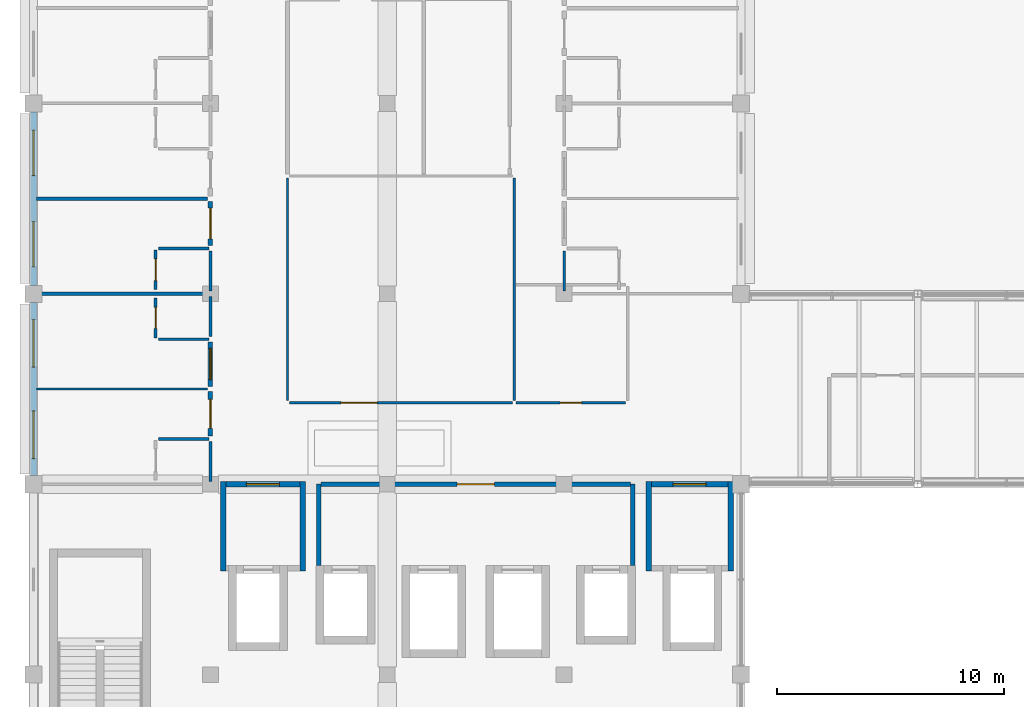
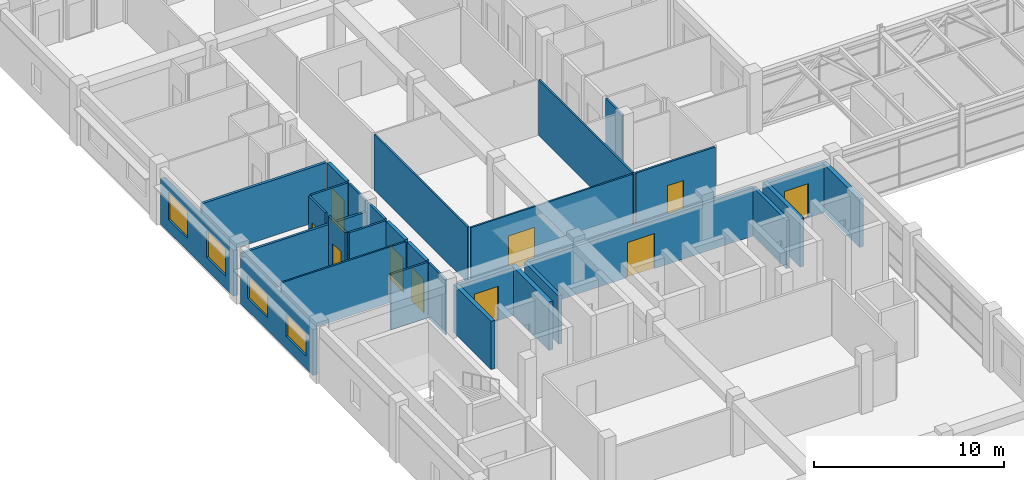
# One storey, part 49 of 72: 30 walls, 10 doors, 4 windows, 14 openings.
"""IFC4 building model written with IfcOpenShell, lengths in metres."""

from ifc_helpers import new_model, si_unit, direction, frame, frame_2d, origin, place, context, subcontext, project, spatial, rectangle, extrude, material, layer, layer_set, type_object, element, fill, save


model = new_model("IFC4")

# Units and contexts
model_context = context("Model", 3, precision=1e-05, world=origin(), true_north=direction((0.0, 1.0)))
body_context = subcontext(model_context, "Body", "Model", "MODEL_VIEW")
ifc_project = project(units=[si_unit("LENGTHUNIT", "METRE"), si_unit("AREAUNIT", "SQUARE_METRE"), si_unit("VOLUMEUNIT", "CUBIC_METRE"), si_unit("PLANEANGLEUNIT", "RADIAN"), si_unit("MASSUNIT", "GRAM", prefix="KILO"), si_unit("THERMODYNAMICTEMPERATUREUNIT", "KELVIN"), si_unit("POWERUNIT", "WATT")], contexts=[model_context])

# Site, building, storey
site_placement = place(None, origin())
site = spatial("IfcSite", under=ifc_project, at=site_placement, CompositionType="ELEMENT")
building_placement = place(site_placement, origin())
building = spatial("IfcBuilding", under=site, at=building_placement, Name="Srebrne Nadtorze General Hospital", CompositionType="ELEMENT")
storey_placement = place(building_placement, frame((0.0, 0.0, 22.199951171875)))
storey = spatial("IfcBuildingStorey", under=building, at=storey_placement, Name="L05", CompositionType="ELEMENT", Elevation=22.199951171875)

# Walls
ifc_material_1 = material(Name="Gypsum Healthcare Partition")
ifc_layer_1 = layer(ifc_material_1, 0.139892578125)
ifc_layer_set_1 = layer_set([ifc_layer_1], Name="Gypsum Healthcare Partition")
wall_type_1 = type_object("IfcWallType", Name="Clinical partition 140", PredefinedType="PARTITIONING", material=ifc_layer_set_1)
wall_1_placement = place(storey_placement, frame((23.52001953125, 58.800048828125, 0.0), z_axis=(0.0, 0.0, 1.0), x_axis=(1.0, 0.0, 0.0)))
element("IfcWall", 1, at=wall_1_placement, inside=storey, type_object=wall_type_1, Name="Ward inter-room partition WL-INT-L05-1958", PredefinedType="PARTITIONING", context=body_context, shape_type="SweptSolid", body=[
    extrude(rectangle(XDim=7.56005859375, YDim=0.139892578125, at=frame_2d((3.780029296875, 0.0))), origin(), (0.0, 0.0, 1.0), 2.949951171875),
])
ifc_material_2 = material(Name="Gypsum Healthcare Partition")
ifc_layer_2 = layer(ifc_material_2, 0.159912109375)
ifc_layer_set_2 = layer_set([ifc_layer_2], Name="Gypsum Healthcare Partition")
wall_type_2 = type_object("IfcWallType", Name="Clinical partition 160", PredefinedType="PARTITIONING", material=ifc_layer_set_2)
wall_2_placement = place(storey_placement, frame((23.52001953125, 63.0, 0.0), z_axis=(0.0, 0.0, 1.0), x_axis=(1.0, 0.0, 0.0)))
element("IfcWall", 2, at=wall_2_placement, inside=storey, type_object=wall_type_2, Name="Ward inter-room partition WL-INT-L05-1963", PredefinedType="PARTITIONING", context=body_context, shape_type="SweptSolid", body=[
    extrude(rectangle(XDim=7.56005859375, YDim=0.159912109375, at=frame_2d((3.780029296875, 0.0))), origin(), (0.0, 0.0, 1.0), 3.580078125),
])
ifc_material_3 = material(Name="Gypsum Healthcare Partition")
ifc_layer_3 = layer(ifc_material_3, 0.199951171875)
ifc_layer_set_3 = layer_set([ifc_layer_3], Name="Gypsum Healthcare Partition")
wall_type_3 = type_object("IfcWallType", Name="Compartment wall 200", PredefinedType="STANDARD", material=ifc_layer_set_3)
for number, where, z_axis, x_axis, name in (
    (3, (35.97998046875, 46.81005859375, 0.0), (0.0, 0.0, 1.0), (0.0, 1.0, 0.0), "Lift lobby side wall WL-INT-L05-1098"),
    (4, (49.820068359375, 46.81005859375, 0.0), (0.0, 0.0, 1.0), (0.0, 1.0, 0.0), "Lift lobby side wall WL-INT-L05-1099"),
):
    element("IfcWall", number, at=place(storey_placement, frame(where, z_axis=z_axis, x_axis=x_axis)), inside=storey, type_object=wall_type_3, Name=name, PredefinedType="STANDARD", context=body_context, shape_type="SweptSolid", body=[
        extrude(rectangle(XDim=3.58984375, YDim=0.199951171875, at=frame_2d((1.794921875, 0.0))), origin(), (0.0, 0.0, 1.0), 3.10009765625),
    ])

# Wall, opening, door
wall_3_placement = place(storey_placement, frame((36.080078125, 50.39990234375, 0.0), z_axis=(0.0, 0.0, 1.0), x_axis=(1.0, 0.0, 0.0)))
wall_3 = element("IfcWall", 5, at=wall_3_placement, inside=storey, type_object=wall_type_3, Name="Lift lobby corridor wall WL-INT-L05-1100", PredefinedType="STANDARD", context=body_context, shape_type="SweptSolid", body=[
    extrude(rectangle(XDim=13.639892578125, YDim=0.199951171875, at=frame_2d((6.81982421875, 0.0))), origin(), (0.0, 0.0, 1.0), 3.10009765625),
])
opening_1_placement = place(wall_3_placement, frame((5.9951171875, 0.0, 0.0)))
opening_1 = element("IfcOpeningElement", 6, at=opening_1_placement, cuts=wall_3, Name="Opening D-L05-0149", PredefinedType="OPENING", context=body_context, shape_type="SweptSolid", body=[
    extrude(rectangle(XDim=1.64990234375, YDim=2.25, at=frame_2d((0.824951171875, 1.125))), frame((0.0, 0.11181640625, 0.0), z_axis=(0.0, -1.0, 0.0), x_axis=(1.0, 0.0, 0.0)), (0.0, 0.0, 1.0), 0.223876953125),
])
ifc_material_4 = material(Name="Anodised Aluminium", Category="aluminium")
door_type_1 = type_object("IfcDoorType", Name="Double leaf door 1650x2250", OperationType="DOUBLE_DOOR_SINGLE_SWING", PredefinedType="DOOR", material=ifc_material_4)
door_1_placement = place(opening_1_placement, origin())
door_1 = element("IfcDoor", 7, at=door_1_placement, inside=storey, type_object=door_type_1, Name="Lift lobby corridor door D-L05-0149", OperationType="DOUBLE_DOOR_SINGLE_SWING", OverallHeight=2.25, OverallWidth=1.64990234375, PredefinedType="DOOR", context=body_context, shape_type="SweptSolid", body=[
    extrude(rectangle(XDim=1.64990234375, YDim=2.25, at=frame_2d((0.824951171875, 1.125))), frame((0.0, 0.02490234375, 0.0), z_axis=(0.0, -1.0, 0.0), x_axis=(1.0, 0.0, 0.0)), (0.0, 0.0, 1.0), 0.050048828125),
])
fill(opening_1, door_1)

wall_4_placement = place(storey_placement, frame((31.199951171875, 52.52001953125, 0.0), z_axis=(0.0, 0.0, 1.0), x_axis=(0.0, 1.0, 0.0)))
wall_4 = element("IfcWall", 8, at=wall_4_placement, inside=storey, type_object=wall_type_3, Name="Ward corridor wall WL-INT-L05-1954", PredefinedType="STANDARD", context=body_context, shape_type="SweptSolid", body=[
    extrude(rectangle(XDim=1.9599609375, YDim=0.199951171875, at=frame_2d((0.97998046875, 0.0))), origin(), (0.0, 0.0, 1.0), 3.580078125),
])
opening_2_placement = place(wall_4_placement, frame((0.340087890625, 0.0, 0.0)))
opening_2 = element("IfcOpeningElement", 9, at=opening_2_placement, cuts=wall_4, Name="Opening D-L05-0386", PredefinedType="OPENING", context=body_context, shape_type="SweptSolid", body=[
    extrude(rectangle(XDim=1.280029296875, YDim=2.14990234375, at=frame_2d((0.64013671875, 1.074951171875))), frame((0.0, 0.11181640625, 0.0), z_axis=(0.0, -1.0, 0.0), x_axis=(1.0, 0.0, 0.0)), (0.0, 0.0, 1.0), 0.223876953125),
])
ifc_material_5 = material(Name="Anodised Aluminium", Category="aluminium")
door_type_2 = type_object("IfcDoorType", Name="Single leaf door 1280x2150", OperationType="NOTDEFINED", PredefinedType="DOOR", material=ifc_material_5)
door_2_placement = place(opening_2_placement, origin())
door_2 = element("IfcDoor", 10, at=door_2_placement, inside=storey, type_object=door_type_2, Name="Ward patient room door D-L05-0386", OperationType="SINGLE_SWING_LEFT", OverallHeight=2.14990234375, OverallWidth=1.280029296875, PredefinedType="DOOR", context=body_context, shape_type="SweptSolid", body=[
    extrude(rectangle(XDim=1.280029296875, YDim=2.14990234375, at=frame_2d((0.64013671875, 1.074951171875))), frame((0.0, 0.02490234375, 0.0), z_axis=(0.0, -1.0, 0.0), x_axis=(1.0, 0.0, 0.0)), (0.0, 0.0, 1.0), 0.050048828125),
])
fill(opening_2, door_2)

wall_5_placement = place(storey_placement, frame((31.199951171875, 54.719970703125, 0.0), z_axis=(0.0, 0.0, 1.0), x_axis=(0.0, 1.0, 0.0)))
wall_5 = element("IfcWall", 11, at=wall_5_placement, inside=storey, type_object=wall_type_3, Name="Ward corridor wall WL-INT-L05-1959", PredefinedType="STANDARD", context=body_context, shape_type="SweptSolid", body=[
    extrude(rectangle(XDim=1.9599609375, YDim=0.199951171875, at=frame_2d((0.97998046875, 0.0))), origin(), (0.0, 0.0, 1.0), 3.580078125),
])
opening_3_placement = place(wall_5_placement, frame((0.2900390625, 0.0, 0.0)))
opening_3 = element("IfcOpeningElement", 12, at=opening_3_placement, cuts=wall_5, Name="Opening D-L05-0388", PredefinedType="OPENING", context=body_context, shape_type="SweptSolid", body=[
    extrude(rectangle(XDim=1.3798828125, YDim=2.199951171875, at=frame_2d((0.68994140625, 1.10009765625))), frame((0.0, 0.11181640625, 0.0), z_axis=(0.0, -1.0, 0.0), x_axis=(1.0, 0.0, 0.0)), (0.0, 0.0, 1.0), 0.223876953125),
])
ifc_material_6 = material(Name="Anodised Aluminium", Category="aluminium")
door_type_3 = type_object("IfcDoorType", Name="Single leaf door 1380x2200", OperationType="NOTDEFINED", PredefinedType="DOOR", material=ifc_material_6)
door_3_placement = place(opening_3_placement, origin())
door_3 = element("IfcDoor", 13, at=door_3_placement, inside=storey, type_object=door_type_3, Name="Ward patient room door D-L05-0388", OperationType="SINGLE_SWING_LEFT", OverallHeight=2.199951171875, OverallWidth=1.3798828125, PredefinedType="DOOR", context=body_context, shape_type="SweptSolid", body=[
    extrude(rectangle(XDim=1.3798828125, YDim=2.199951171875, at=frame_2d((0.68994140625, 1.10009765625))), frame((0.0, 0.02490234375, 0.0), z_axis=(0.0, -1.0, 0.0), x_axis=(1.0, 0.0, 0.0)), (0.0, 0.0, 1.0), 0.050048828125),
])
fill(opening_3, door_3)

wall_6_placement = place(storey_placement, frame((31.199951171875, 60.919921875, 0.0), z_axis=(0.0, 0.0, 1.0), x_axis=(0.0, 1.0, 0.0)))
wall_6 = element("IfcWall", 14, at=wall_6_placement, inside=storey, type_object=wall_type_3, Name="Ward corridor wall WL-INT-L05-1964", PredefinedType="STANDARD", context=body_context, shape_type="SweptSolid", body=[
    extrude(rectangle(XDim=1.9599609375, YDim=0.199951171875, at=frame_2d((0.97998046875, 0.0))), origin(), (0.0, 0.0, 1.0), 3.580078125),
])
opening_4_placement = place(wall_6_placement, frame((0.304931640625, 0.0, 0.0)))
opening_4 = element("IfcOpeningElement", 15, at=opening_4_placement, cuts=wall_6, Name="Opening D-L05-0390", PredefinedType="OPENING", context=body_context, shape_type="SweptSolid", body=[
    extrude(rectangle(XDim=1.35009765625, YDim=2.14990234375, at=frame_2d((0.675048828125, 1.074951171875))), frame((0.0, 0.11181640625, 0.0), z_axis=(0.0, -1.0, 0.0), x_axis=(1.0, 0.0, 0.0)), (0.0, 0.0, 1.0), 0.223876953125),
])
ifc_material_7 = material(Name="Anodised Aluminium", Category="aluminium")
door_type_4 = type_object("IfcDoorType", Name="Single leaf door 1350x2150", OperationType="NOTDEFINED", PredefinedType="DOOR", material=ifc_material_7)
door_4_placement = place(opening_4_placement, origin())
door_4 = element("IfcDoor", 16, at=door_4_placement, inside=storey, type_object=door_type_4, Name="Ward patient room door D-L05-0390", OperationType="SINGLE_SWING_LEFT", OverallHeight=2.14990234375, OverallWidth=1.35009765625, PredefinedType="DOOR", context=body_context, shape_type="SweptSolid", body=[
    extrude(rectangle(XDim=1.35009765625, YDim=2.14990234375, at=frame_2d((0.675048828125, 1.074951171875))), frame((0.0, 0.02490234375, 0.0), z_axis=(0.0, -1.0, 0.0), x_axis=(1.0, 0.0, 0.0)), (0.0, 0.0, 1.0), 0.050048828125),
])
fill(opening_4, door_4)

# Walls
ifc_material_8 = material(Name="Gypsum Healthcare Partition")
ifc_layer_4 = layer(ifc_material_8, 0.239990234375)
ifc_layer_set_4 = layer_set([ifc_layer_4], Name="Gypsum Healthcare Partition")
wall_type_4 = type_object("IfcWallType", Name="Corridor fire wall 240", PredefinedType="STANDARD", material=ifc_layer_set_4)
for number, where, z_axis, x_axis, name in (
    (17, (31.760009765625, 46.570068359375, 0.0), (0.0, 0.0, 1.0), (0.0, 1.0, 0.0), "FF lift lobby wall WL-INT-L05-1088"),
    (18, (35.27001953125, 46.570068359375, 0.0), (0.0, 0.0, 1.0), (0.0, 1.0, 0.0), "FF lift lobby wall WL-INT-L05-1089"),
):
    element("IfcWall", number, at=place(storey_placement, frame(where, z_axis=z_axis, x_axis=x_axis)), inside=storey, type_object=wall_type_4, Name=name, PredefinedType="STANDARD", context=body_context, shape_type="SweptSolid", body=[
        extrude(rectangle(XDim=3.949951171875, YDim=0.239990234375, at=frame_2d((1.97509765625, 0.0))), origin(), (0.0, 0.0, 1.0), 3.10009765625),
    ])

# Wall, opening, door
wall_7_placement = place(storey_placement, frame((31.8798828125, 50.39990234375, 0.0), z_axis=(0.0, 0.0, 1.0), x_axis=(1.0, 0.0, 0.0)))
wall_7 = element("IfcWall", 19, at=wall_7_placement, inside=storey, type_object=wall_type_4, Name="FF lift lobby front wall WL-INT-L05-1092", PredefinedType="STANDARD", context=body_context, shape_type="SweptSolid", body=[
    extrude(rectangle(XDim=3.27001953125, YDim=0.239990234375, at=frame_2d((1.635009765625, 0.0))), origin(), (0.0, 0.0, 1.0), 3.10009765625),
])
opening_5_placement = place(wall_7_placement, frame((0.909912109375, 0.0, 0.0)))
opening_5 = element("IfcOpeningElement", 20, at=opening_5_placement, cuts=wall_7, Name="Opening D-L05-0147", PredefinedType="OPENING", context=body_context, shape_type="SweptSolid", body=[
    extrude(rectangle(XDim=1.449951171875, YDim=2.199951171875, at=frame_2d((0.72509765625, 1.10009765625))), frame((0.0, 0.1318359375, 0.0), z_axis=(0.0, -1.0, 0.0), x_axis=(1.0, 0.0, 0.0)), (0.0, 0.0, 1.0), 0.263916015625),
])
ifc_material_9 = material(Name="Anodised Aluminium", Category="aluminium")
door_type_5 = type_object("IfcDoorType", Name="Double leaf door 1450x2200", OperationType="DOUBLE_DOOR_SINGLE_SWING", PredefinedType="DOOR", material=ifc_material_9)
door_5_placement = place(opening_5_placement, origin())
door_5 = element("IfcDoor", 21, at=door_5_placement, inside=storey, type_object=door_type_5, Name="Firefighting lift lobby door D-L05-0147", OperationType="DOUBLE_DOOR_SINGLE_SWING", OverallHeight=2.199951171875, OverallWidth=1.449951171875, PredefinedType="DOOR", context=body_context, shape_type="SweptSolid", body=[
    extrude(rectangle(XDim=1.449951171875, YDim=2.199951171875, at=frame_2d((0.72509765625, 1.10009765625))), frame((0.0, 0.02490234375, 0.0), z_axis=(0.0, -1.0, 0.0), x_axis=(1.0, 0.0, 0.0)), (0.0, 0.0, 1.0), 0.050048828125),
])
fill(opening_5, door_5)

# Walls
for number, where, z_axis, x_axis, name in (
    (22, (50.530029296875, 46.570068359375, 0.0), (0.0, 0.0, 1.0), (0.0, 1.0, 0.0), "FF lift lobby wall WL-INT-L05-1093"),
    (23, (54.139892578125, 46.570068359375, 0.0), (0.0, 0.0, 1.0), (0.0, 1.0, 0.0), "FF lift lobby wall WL-INT-L05-1094"),
):
    element("IfcWall", number, at=place(storey_placement, frame(where, z_axis=z_axis, x_axis=x_axis)), inside=storey, type_object=wall_type_4, Name=name, PredefinedType="STANDARD", context=body_context, shape_type="SweptSolid", body=[
        extrude(rectangle(XDim=3.949951171875, YDim=0.239990234375, at=frame_2d((1.97509765625, 0.0))), origin(), (0.0, 0.0, 1.0), 3.10009765625),
    ])

# Wall, opening, door
wall_8_placement = place(storey_placement, frame((50.64990234375, 50.39990234375, 0.0), z_axis=(0.0, 0.0, 1.0), x_axis=(1.0, 0.0, 0.0)))
wall_8 = element("IfcWall", 24, at=wall_8_placement, inside=storey, type_object=wall_type_4, Name="FF lift lobby front wall WL-INT-L05-1097", PredefinedType="STANDARD", context=body_context, shape_type="SweptSolid", body=[
    extrude(rectangle(XDim=3.3701171875, YDim=0.239990234375, at=frame_2d((1.68505859375, 0.0))), origin(), (0.0, 0.0, 1.0), 3.10009765625),
])
opening_6_placement = place(wall_8_placement, frame((0.9599609375, 0.0, 0.0)))
opening_6 = element("IfcOpeningElement", 25, at=opening_6_placement, cuts=wall_8, Name="Opening D-L05-0148", PredefinedType="OPENING", context=body_context, shape_type="SweptSolid", body=[
    extrude(rectangle(XDim=1.449951171875, YDim=2.199951171875, at=frame_2d((0.72509765625, 1.10009765625))), frame((0.0, 0.1318359375, 0.0), z_axis=(0.0, -1.0, 0.0), x_axis=(1.0, 0.0, 0.0)), (0.0, 0.0, 1.0), 0.263916015625),
])
door_6_placement = place(opening_6_placement, origin())
door_6 = element("IfcDoor", 26, at=door_6_placement, inside=storey, type_object=door_type_5, Name="Firefighting lift lobby door D-L05-0148", OperationType="DOUBLE_DOOR_SINGLE_SWING", OverallHeight=2.199951171875, OverallWidth=1.449951171875, PredefinedType="DOOR", context=body_context, shape_type="SweptSolid", body=[
    extrude(rectangle(XDim=1.449951171875, YDim=2.199951171875, at=frame_2d((0.72509765625, 1.10009765625))), frame((0.0, 0.02490234375, 0.0), z_axis=(0.0, -1.0, 0.0), x_axis=(1.0, 0.0, 0.0)), (0.0, 0.0, 1.0), 0.050048828125),
])
fill(opening_6, door_6)

# Walls
ifc_material_10 = material(Name="Gypsum Healthcare Partition")
ifc_layer_5 = layer(ifc_material_10, 0.1201171875)
ifc_layer_set_5 = layer_set([ifc_layer_5], Name="Gypsum Healthcare Partition")
wall_type_5 = type_object("IfcWallType", Name="En-suite partition 120", PredefinedType="PARTITIONING", material=ifc_layer_set_5)
wall_9_placement = place(storey_placement, frame((31.199951171875, 50.52001953125, 0.0), z_axis=(0.0, 0.0, 1.0), x_axis=(0.0, 1.0, 0.0)))
element("IfcWall", 27, at=wall_9_placement, inside=storey, type_object=wall_type_5, Name="En-suite corridor wall WL-INT-L05-1955", PredefinedType="PARTITIONING", context=body_context, shape_type="SweptSolid", body=[
    extrude(rectangle(XDim=1.760009765625, YDim=0.1201171875, at=frame_2d((0.8798828125, 0.0))), origin(), (0.0, 0.0, 1.0), 3.580078125),
])
wall_10_placement = place(storey_placement, frame((28.89990234375, 52.39990234375, 0.0), z_axis=(0.0, 0.0, 1.0), x_axis=(1.0, 0.0, 0.0)))
element("IfcWall", 28, at=wall_10_placement, inside=storey, type_object=wall_type_5, Name="En-suite wet wall WL-INT-L05-1956", PredefinedType="PARTITIONING", context=body_context, shape_type="SweptSolid", body=[
    extrude(rectangle(XDim=2.239990234375, YDim=0.1201171875, at=frame_2d((1.1201171875, 0.0))), origin(), (0.0, 0.0, 1.0), 3.580078125),
])
wall_11_placement = place(storey_placement, frame((31.199951171875, 56.919921875, 0.0), z_axis=(0.0, 0.0, 1.0), x_axis=(0.0, 1.0, 0.0)))
element("IfcWall", 29, at=wall_11_placement, inside=storey, type_object=wall_type_5, Name="En-suite corridor wall WL-INT-L05-1960", PredefinedType="PARTITIONING", context=body_context, shape_type="SweptSolid", body=[
    extrude(rectangle(XDim=1.760009765625, YDim=0.1201171875, at=frame_2d((0.8798828125, 0.0))), origin(), (0.0, 0.0, 1.0), 3.580078125),
])
wall_12_placement = place(storey_placement, frame((28.89990234375, 56.800048828125, 0.0), z_axis=(0.0, 0.0, 1.0), x_axis=(1.0, 0.0, 0.0)))
element("IfcWall", 30, at=wall_12_placement, inside=storey, type_object=wall_type_5, Name="En-suite wet wall WL-INT-L05-1961", PredefinedType="PARTITIONING", context=body_context, shape_type="SweptSolid", body=[
    extrude(rectangle(XDim=2.239990234375, YDim=0.1201171875, at=frame_2d((1.1201171875, 0.0))), origin(), (0.0, 0.0, 1.0), 3.580078125),
])

# Wall, opening, door
wall_13_placement = place(storey_placement, frame((28.780029296875, 56.860107421875, 0.0), z_axis=(0.0, 0.0, 1.0), x_axis=(0.0, 1.0, 0.0)))
wall_13 = element("IfcWall", 31, at=wall_13_placement, inside=storey, type_object=wall_type_5, Name="En-suite wet wall WL-INT-L05-1962", PredefinedType="PARTITIONING", context=body_context, shape_type="SweptSolid", body=[
    extrude(rectangle(XDim=1.760009765625, YDim=0.1201171875, at=frame_2d((0.8798828125, 0.0))), origin(), (0.0, 0.0, 1.0), 3.580078125),
])
opening_7_placement = place(wall_13_placement, frame((0.419921875, 0.0, 0.0)))
opening_7 = element("IfcOpeningElement", 32, at=opening_7_placement, cuts=wall_13, Name="Opening D-L05-0389", PredefinedType="OPENING", context=body_context, shape_type="SweptSolid", body=[
    extrude(rectangle(XDim=0.919921875, YDim=2.080078125, at=frame_2d((0.4599609375, 1.0400390625))), frame((0.0, 0.072021484375, 0.0), z_axis=(0.0, -1.0, 0.0), x_axis=(1.0, 0.0, 0.0)), (0.0, 0.0, 1.0), 0.14404296875),
])
ifc_material_11 = material(Name="Anodised Aluminium", Category="aluminium")
door_type_6 = type_object("IfcDoorType", Name="Single leaf door 920x2080", OperationType="NOTDEFINED", PredefinedType="DOOR", material=ifc_material_11)
door_7_placement = place(opening_7_placement, frame((0.919921875, 0.0, 0.0), z_axis=(0.0, 0.0, 1.0), x_axis=(-1.0, 0.0, 0.0)))
door_7 = element("IfcDoor", 33, at=door_7_placement, inside=storey, type_object=door_type_6, Name="En-suite bathroom door D-L05-0389", OperationType="SINGLE_SWING_LEFT", OverallHeight=2.080078125, OverallWidth=0.919921875, PredefinedType="DOOR", context=body_context, shape_type="SweptSolid", body=[
    extrude(rectangle(XDim=0.919921875, YDim=2.080078125, at=frame_2d((0.4599609375, 1.0400390625))), frame((0.0, 0.02490234375, 0.0), z_axis=(0.0, -1.0, 0.0), x_axis=(1.0, 0.0, 0.0)), (0.0, 0.0, 1.0), 0.050048828125),
])
fill(opening_7, door_7)

# Walls
wall_14_placement = place(storey_placement, frame((31.199951171875, 58.919921875, 0.0), z_axis=(0.0, 0.0, 1.0), x_axis=(0.0, 1.0, 0.0)))
element("IfcWall", 34, at=wall_14_placement, inside=storey, type_object=wall_type_5, Name="En-suite corridor wall WL-INT-L05-1965", PredefinedType="PARTITIONING", context=body_context, shape_type="SweptSolid", body=[
    extrude(rectangle(XDim=1.760009765625, YDim=0.1201171875, at=frame_2d((0.8798828125, 0.0))), origin(), (0.0, 0.0, 1.0), 3.580078125),
])
wall_15_placement = place(storey_placement, frame((28.89990234375, 60.800048828125, 0.0), z_axis=(0.0, 0.0, 1.0), x_axis=(1.0, 0.0, 0.0)))
element("IfcWall", 35, at=wall_15_placement, inside=storey, type_object=wall_type_5, Name="En-suite wet wall WL-INT-L05-1966", PredefinedType="PARTITIONING", context=body_context, shape_type="SweptSolid", body=[
    extrude(rectangle(XDim=2.239990234375, YDim=0.1201171875, at=frame_2d((1.1201171875, 0.0))), origin(), (0.0, 0.0, 1.0), 3.580078125),
])

# Wall, opening, door
wall_16_placement = place(storey_placement, frame((28.780029296875, 58.97998046875, 0.0), z_axis=(0.0, 0.0, 1.0), x_axis=(0.0, 1.0, 0.0)))
wall_16 = element("IfcWall", 36, at=wall_16_placement, inside=storey, type_object=wall_type_5, Name="En-suite wet wall WL-INT-L05-1967", PredefinedType="PARTITIONING", context=body_context, shape_type="SweptSolid", body=[
    extrude(rectangle(XDim=1.760009765625, YDim=0.1201171875, at=frame_2d((0.8798828125, 0.0))), origin(), (0.0, 0.0, 1.0), 3.580078125),
])
opening_8_placement = place(wall_16_placement, frame((0.405029296875, 0.0, 0.0)))
opening_8 = element("IfcOpeningElement", 37, at=opening_8_placement, cuts=wall_16, Name="Opening D-L05-0391", PredefinedType="OPENING", context=body_context, shape_type="SweptSolid", body=[
    extrude(rectangle(XDim=0.949951171875, YDim=2.10009765625, at=frame_2d((0.47509765625, 1.050048828125))), frame((0.0, 0.072021484375, 0.0), z_axis=(0.0, -1.0, 0.0), x_axis=(1.0, 0.0, 0.0)), (0.0, 0.0, 1.0), 0.14404296875),
])
ifc_material_12 = material(Name="Anodised Aluminium", Category="aluminium")
door_type_7 = type_object("IfcDoorType", Name="Single leaf door 950x2100", OperationType="NOTDEFINED", PredefinedType="DOOR", material=ifc_material_12)
door_8_placement = place(opening_8_placement, frame((0.949951171875, 0.0, 0.0), z_axis=(0.0, 0.0, 1.0), x_axis=(-1.0, 0.0, 0.0)))
door_8 = element("IfcDoor", 38, at=door_8_placement, inside=storey, type_object=door_type_7, Name="En-suite bathroom door D-L05-0391", OperationType="SINGLE_SWING_LEFT", OverallHeight=2.10009765625, OverallWidth=0.949951171875, PredefinedType="DOOR", context=body_context, shape_type="SweptSolid", body=[
    extrude(rectangle(XDim=0.949951171875, YDim=2.10009765625, at=frame_2d((0.47509765625, 1.050048828125))), frame((0.0, 0.02490234375, 0.0), z_axis=(0.0, -1.0, 0.0), x_axis=(1.0, 0.0, 0.0)), (0.0, 0.0, 1.0), 0.050048828125),
])
fill(opening_8, door_8)

# Wall
wall_17_placement = place(storey_placement, frame((46.800048828125, 58.919921875, 0.0), z_axis=(0.0, 0.0, 1.0), x_axis=(0.0, 1.0, 0.0)))
element("IfcWall", 39, at=wall_17_placement, inside=storey, type_object=wall_type_5, Name="En-suite corridor wall WL-INT-L05-1986", PredefinedType="PARTITIONING", context=body_context, shape_type="SweptSolid", body=[
    extrude(rectangle(XDim=1.760009765625, YDim=0.1201171875, at=frame_2d((0.8798828125, 0.0))), origin(), (0.0, 0.0, 1.0), 3.580078125),
])

# Wall, opening, door
wall_18_placement = place(storey_placement, frame((44.68505859375, 54.0, 0.0), z_axis=(0.0, 0.0, 1.0), x_axis=(1.0, 0.0, 0.0)))
wall_18 = element("IfcWall", 40, at=wall_18_placement, inside=storey, type_object=wall_type_5, Name="Accessible WC wall WL-INT-L05-2118", PredefinedType="PARTITIONING", context=body_context, shape_type="SweptSolid", body=[
    extrude(rectangle(XDim=4.829833984375, YDim=0.1201171875, at=frame_2d((2.4150390625, 0.0))), origin(), (0.0, 0.0, 1.0), 3.580078125),
])
opening_9_placement = place(wall_18_placement, frame((1.93994140625, 0.0, 0.0)))
opening_9 = element("IfcOpeningElement", 41, at=opening_9_placement, cuts=wall_18, Name="Opening D-L05-0450", PredefinedType="OPENING", context=body_context, shape_type="SweptSolid", body=[
    extrude(rectangle(XDim=0.949951171875, YDim=2.10009765625, at=frame_2d((0.47509765625, 1.050048828125))), frame((0.0, 0.072021484375, 0.0), z_axis=(0.0, -1.0, 0.0), x_axis=(1.0, 0.0, 0.0)), (0.0, 0.0, 1.0), 0.14404296875),
])
door_9_placement = place(opening_9_placement, origin())
door_9 = element("IfcDoor", 42, at=door_9_placement, inside=storey, type_object=door_type_7, Name="Accessible WC door D-L05-0450", OperationType="SINGLE_SWING_LEFT", OverallHeight=2.10009765625, OverallWidth=0.949951171875, PredefinedType="DOOR", context=body_context, shape_type="SweptSolid", body=[
    extrude(rectangle(XDim=0.949951171875, YDim=2.10009765625, at=frame_2d((0.47509765625, 1.050048828125))), frame((0.0, 0.02490234375, 0.0), z_axis=(0.0, -1.0, 0.0), x_axis=(1.0, 0.0, 0.0)), (0.0, 0.0, 1.0), 0.050048828125),
])
fill(opening_9, door_9)

# Wall
ifc_material_13 = material(Name="Gypsum Healthcare Partition")
ifc_layer_6 = layer(ifc_material_13, 0.10009765625)
ifc_layer_set_6 = layer_set([ifc_layer_6], Name="Gypsum Healthcare Partition")
wall_type_6 = type_object("IfcWallType", Name="Shaft lining wall 100", PredefinedType="PARTITIONING", material=ifc_layer_set_6)
wall_19_placement = place(storey_placement, frame((23.52001953125, 54.60009765625, 0.0), z_axis=(0.0, 0.0, 1.0), x_axis=(1.0, 0.0, 0.0)))
element("IfcWall", 43, at=wall_19_placement, inside=storey, type_object=wall_type_6, Name="Ward inter-room partition WL-INT-L05-1953", PredefinedType="PARTITIONING", context=body_context, shape_type="SweptSolid", body=[
    extrude(rectangle(XDim=7.56005859375, YDim=0.10009765625, at=frame_2d((3.780029296875, 0.0))), origin(), (0.0, 0.0, 1.0), 3.580078125),
])

# Wall, opening, door
wall_20_placement = place(storey_placement, frame((34.68505859375, 54.0, 0.0), z_axis=(0.0, 0.0, 1.0), x_axis=(1.0, 0.0, 0.0)))
wall_20 = element("IfcWall", 44, at=wall_20_placement, inside=storey, type_object=wall_type_6, Name="Nursing Station wall WL-INT-L05-2106", PredefinedType="PARTITIONING", context=body_context, shape_type="SweptSolid", body=[
    extrude(rectangle(XDim=9.829833984375, YDim=0.10009765625, at=frame_2d((4.9150390625, 0.0))), origin(), (0.0, 0.0, 1.0), 3.580078125),
])
opening_10_placement = place(wall_20_placement, frame((2.2666015625, 0.0, 0.0)))
opening_10 = element("IfcOpeningElement", 45, at=opening_10_placement, cuts=wall_20, Name="Opening D-L05-0446", PredefinedType="OPENING", context=body_context, shape_type="SweptSolid", body=[
    extrude(rectangle(XDim=1.60009765625, YDim=2.25, at=frame_2d((0.800048828125, 1.125))), frame((0.0, 0.06201171875, 0.0), z_axis=(0.0, -1.0, 0.0), x_axis=(1.0, 0.0, 0.0)), (0.0, 0.0, 1.0), 0.1240234375),
])
ifc_material_14 = material(Name="Anodised Aluminium", Category="aluminium")
door_type_8 = type_object("IfcDoorType", Name="Double leaf door 1600x2250", OperationType="DOUBLE_DOOR_SINGLE_SWING", PredefinedType="DOOR", material=ifc_material_14)
door_10_placement = place(opening_10_placement, origin())
door_10 = element("IfcDoor", 46, at=door_10_placement, inside=storey, type_object=door_type_8, Name="Nursing Station door D-L05-0446", OperationType="DOUBLE_DOOR_SINGLE_SWING", OverallHeight=2.25, OverallWidth=1.60009765625, PredefinedType="DOOR", context=body_context, shape_type="SweptSolid", body=[
    extrude(rectangle(XDim=1.60009765625, YDim=2.25, at=frame_2d((0.800048828125, 1.125))), frame((0.0, 0.02490234375, 0.0), z_axis=(0.0, -1.0, 0.0), x_axis=(1.0, 0.0, 0.0)), (0.0, 0.0, 1.0), 0.050048828125),
])
fill(opening_10, door_10)

# Walls
for number, where, z_axis, x_axis, name in (
    (47, (34.60009765625, 54.0849609375, 0.0), (0.0, 0.0, 1.0), (0.0, 1.0, 0.0), "Nursing Station wall WL-INT-L05-2108"),
    (48, (44.60009765625, 54.0849609375, 0.0), (0.0, 0.0, 1.0), (0.0, 1.0, 0.0), "Nursing Station wall WL-INT-L05-2109"),
):
    element("IfcWall", number, at=place(storey_placement, frame(where, z_axis=z_axis, x_axis=x_axis)), inside=storey, type_object=wall_type_6, Name=name, PredefinedType="PARTITIONING", context=body_context, shape_type="SweptSolid", body=[
        extrude(rectangle(XDim=9.830078125, YDim=0.10009765625, at=frame_2d((4.9150390625, 0.0))), origin(), (0.0, 0.0, 1.0), 3.580078125),
    ])

# Wall, openings, windows
ifc_material_15 = material(Name="Concrete C35/45 precast", Category="concrete")
ifc_layer_7 = layer(ifc_material_15, 0.280029296875)
ifc_layer_set_7 = layer_set([ifc_layer_7], Name="Concrete C35/45 precast")
wall_type_7 = type_object("IfcWallType", Name="Spandrel wall 280", PredefinedType="STANDARD", material=ifc_layer_set_7)
wall_21_placement = place(storey_placement, frame((23.39990234375, 50.77490234375, 0.0), z_axis=(0.0, 0.0, 1.0), x_axis=(0.0, 1.0, 0.0)))
wall_21 = element("IfcWall", 49, at=wall_21_placement, inside=storey, type_object=wall_type_7, Name="Exterior wall WL-ENV-L05-0429", PredefinedType="STANDARD", context=body_context, shape_type="SweptSolid", body=[
    extrude(rectangle(XDim=7.650146484375, YDim=0.280029296875, at=frame_2d((3.8251953125, 0.0))), origin(), (0.0, 0.0, 1.0), 2.949951171875),
])
opening_11_placement = place(wall_21_placement, frame((0.759033203125, 0.0, 0.800048828125)))
opening_11 = element("IfcOpeningElement", 50, at=opening_11_placement, cuts=wall_21, Name="Opening WN-L05-0687", PredefinedType="OPENING", context=body_context, shape_type="SweptSolid", body=[
    extrude(rectangle(XDim=2.10009765625, YDim=1.449951171875, at=frame_2d((1.050048828125, 0.72509765625))), frame((0.0, 0.15185546875, 0.0), z_axis=(0.0, -1.0, 0.0), x_axis=(1.0, 0.0, 0.0)), (0.0, 0.0, 1.0), 0.303955078125),
])
opening_12_placement = place(wall_21_placement, frame((4.791015625, 0.0, 0.800048828125)))
opening_12 = element("IfcOpeningElement", 51, at=opening_12_placement, cuts=wall_21, Name="Opening WN-L05-0688", PredefinedType="OPENING", context=body_context, shape_type="SweptSolid", body=[
    extrude(rectangle(XDim=2.10009765625, YDim=1.449951171875, at=frame_2d((1.050048828125, 0.72509765625))), frame((0.0, 0.15185546875, 0.0), z_axis=(0.0, -1.0, 0.0), x_axis=(1.0, 0.0, 0.0)), (0.0, 0.0, 1.0), 0.303955078125),
])
ifc_material_16 = material(Name="Triple Low-E Glazing", Category="glass")
window_type_1 = type_object("IfcWindowType", Name="Punched clinical window 2100x1450", PartitioningType="DOUBLE_PANEL_VERTICAL", PredefinedType="WINDOW", material=ifc_material_16)
window_1_placement = place(opening_11_placement, origin())
window_1 = element("IfcWindow", 52, at=window_1_placement, inside=storey, type_object=window_type_1, Name="Clinical window WN-L05-0687", OverallHeight=1.449951171875, OverallWidth=2.10009765625, PartitioningType="DOUBLE_PANEL_VERTICAL", PredefinedType="WINDOW", context=body_context, shape_type="SweptSolid", body=[
    extrude(rectangle(XDim=2.10009765625, YDim=1.449951171875, at=frame_2d((1.050048828125, 0.72509765625))), frame((0.0, 0.030029296875, 0.0), z_axis=(0.0, -1.0, 0.0), x_axis=(1.0, 0.0, 0.0)), (0.0, 0.0, 1.0), 0.06005859375),
])
fill(opening_11, window_1)
window_2_placement = place(opening_12_placement, origin())
window_2 = element("IfcWindow", 53, at=window_2_placement, inside=storey, type_object=window_type_1, Name="Clinical window WN-L05-0688", OverallHeight=1.449951171875, OverallWidth=2.10009765625, PartitioningType="DOUBLE_PANEL_VERTICAL", PredefinedType="WINDOW", context=body_context, shape_type="SweptSolid", body=[
    extrude(rectangle(XDim=2.10009765625, YDim=1.449951171875, at=frame_2d((1.050048828125, 0.72509765625))), frame((0.0, 0.030029296875, 0.0), z_axis=(0.0, -1.0, 0.0), x_axis=(1.0, 0.0, 0.0)), (0.0, 0.0, 1.0), 0.06005859375),
])
fill(opening_12, window_2)

wall_22_placement = place(storey_placement, frame((23.39990234375, 59.175048828125, 0.0), z_axis=(0.0, 0.0, 1.0), x_axis=(0.0, 1.0, 0.0)))
wall_22 = element("IfcWall", 54, at=wall_22_placement, inside=storey, type_object=wall_type_7, Name="Exterior wall WL-ENV-L05-0430", PredefinedType="STANDARD", context=body_context, shape_type="SweptSolid", body=[
    extrude(rectangle(XDim=7.64990234375, YDim=0.280029296875, at=frame_2d((3.824951171875, 0.0))), origin(), (0.0, 0.0, 1.0), 2.949951171875),
])
opening_13_placement = place(wall_22_placement, frame((0.80908203125, 0.0, 0.800048828125)))
opening_13 = element("IfcOpeningElement", 55, at=opening_13_placement, cuts=wall_22, Name="Opening WN-L05-0689", PredefinedType="OPENING", context=body_context, shape_type="SweptSolid", body=[
    extrude(rectangle(XDim=2.0, YDim=1.75, at=frame_2d((1.0, 0.875))), frame((0.0, 0.15185546875, 0.0), z_axis=(0.0, -1.0, 0.0), x_axis=(1.0, 0.0, 0.0)), (0.0, 0.0, 1.0), 0.303955078125),
])
opening_14_placement = place(wall_22_placement, frame((4.841064453125, 0.0, 0.800048828125)))
opening_14 = element("IfcOpeningElement", 56, at=opening_14_placement, cuts=wall_22, Name="Opening WN-L05-0690", PredefinedType="OPENING", context=body_context, shape_type="SweptSolid", body=[
    extrude(rectangle(XDim=2.0, YDim=1.75, at=frame_2d((1.0, 0.875))), frame((0.0, 0.15185546875, 0.0), z_axis=(0.0, -1.0, 0.0), x_axis=(1.0, 0.0, 0.0)), (0.0, 0.0, 1.0), 0.303955078125),
])
ifc_material_17 = material(Name="Triple Low-E Glazing", Category="glass")
window_type_2 = type_object("IfcWindowType", Name="Punched clinical window 2000x1750", PartitioningType="DOUBLE_PANEL_VERTICAL", PredefinedType="WINDOW", material=ifc_material_17)
window_3_placement = place(opening_13_placement, origin())
window_3 = element("IfcWindow", 57, at=window_3_placement, inside=storey, type_object=window_type_2, Name="Clinical window WN-L05-0689", OverallHeight=1.75, OverallWidth=2.0, PartitioningType="DOUBLE_PANEL_VERTICAL", PredefinedType="WINDOW", context=body_context, shape_type="SweptSolid", body=[
    extrude(rectangle(XDim=2.0, YDim=1.75, at=frame_2d((1.0, 0.875))), frame((0.0, 0.030029296875, 0.0), z_axis=(0.0, -1.0, 0.0), x_axis=(1.0, 0.0, 0.0)), (0.0, 0.0, 1.0), 0.06005859375),
])
fill(opening_13, window_3)
window_4_placement = place(opening_14_placement, origin())
window_4 = element("IfcWindow", 58, at=window_4_placement, inside=storey, type_object=window_type_2, Name="Clinical window WN-L05-0690", OverallHeight=1.75, OverallWidth=2.0, PartitioningType="DOUBLE_PANEL_VERTICAL", PredefinedType="WINDOW", context=body_context, shape_type="SweptSolid", body=[
    extrude(rectangle(XDim=2.0, YDim=1.75, at=frame_2d((1.0, 0.875))), frame((0.0, 0.030029296875, 0.0), z_axis=(0.0, -1.0, 0.0), x_axis=(1.0, 0.0, 0.0)), (0.0, 0.0, 1.0), 0.06005859375),
])
fill(opening_14, window_4)

save(model, "model.ifc")
